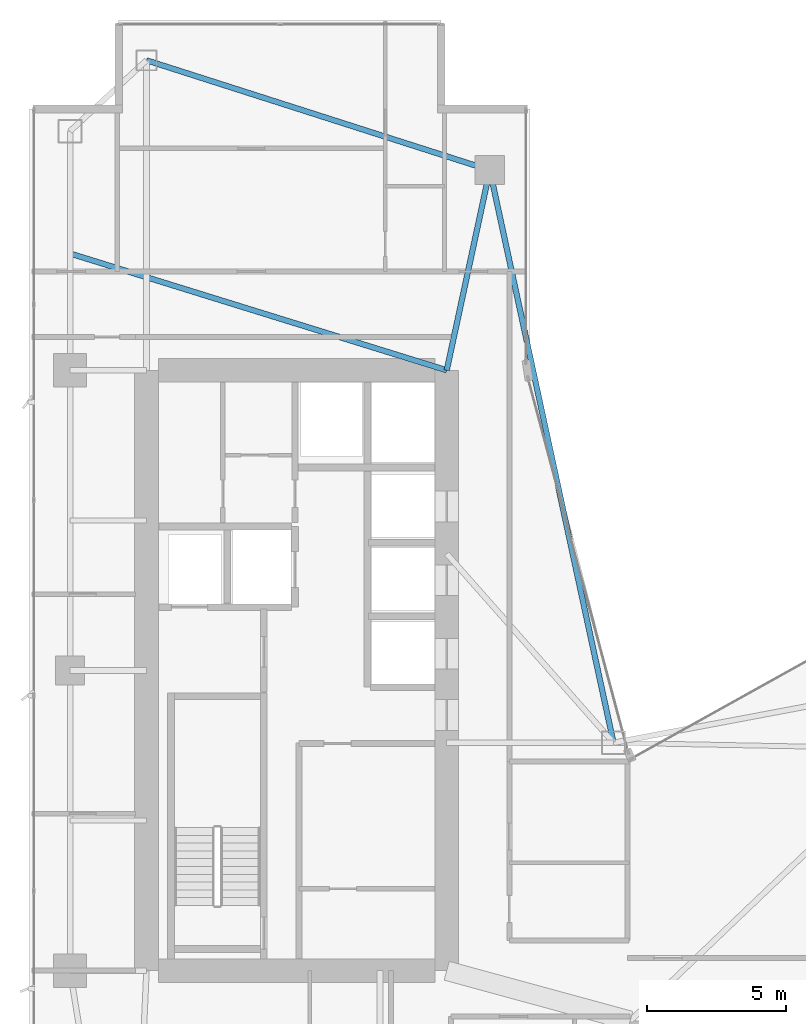
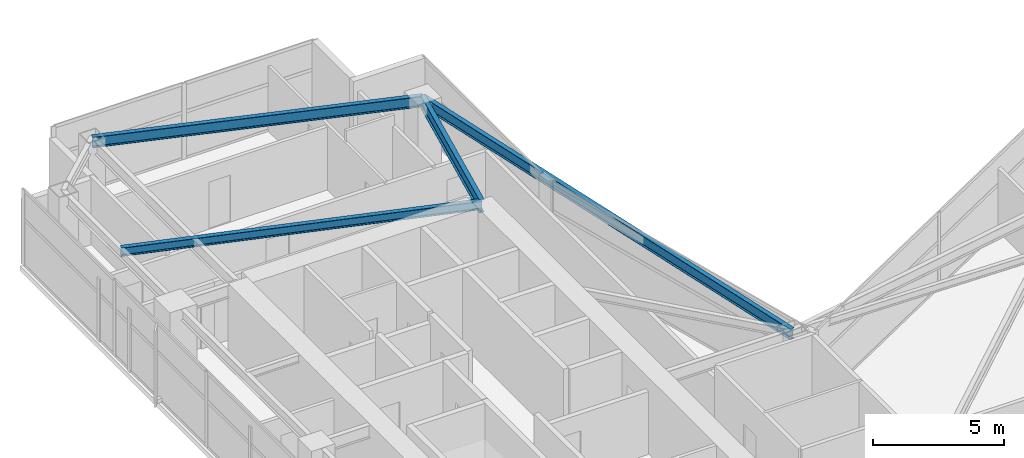
# One storey, part 17 of 29: 4 beams.
"""IFC4 building model written with IfcOpenShell, lengths in metres."""

from ifc_helpers import new_model, si_unit, direction, frame, origin, origin_2d, place, context, subcontext, project, spatial, i_section, extrude, material, material_profile, profile_set, type_object, element, save


model = new_model("IFC4")

# Units and contexts
model_context = context("Model", 3, precision=1e-05, world=origin(), true_north=direction((0.0, 1.0)))
body_context = subcontext(model_context, "Body", "Model", "MODEL_VIEW")
ifc_project = project(units=[si_unit("LENGTHUNIT", "METRE"), si_unit("AREAUNIT", "SQUARE_METRE"), si_unit("VOLUMEUNIT", "CUBIC_METRE"), si_unit("PLANEANGLEUNIT", "RADIAN"), si_unit("MASSUNIT", "GRAM", prefix="KILO")], contexts=[model_context])

# Site, building, storey
site_placement = place(None, origin())
site = spatial("IfcSite", under=ifc_project, at=site_placement, CompositionType="ELEMENT")
building_placement = place(site_placement, origin())
building = spatial("IfcBuilding", under=site, at=building_placement, Name="Calvorn Quay Hotel", CompositionType="ELEMENT")
storey_placement = place(building_placement, frame((0.0, 0.0, 167.5)))
storey = spatial("IfcBuildingStorey", under=building, at=storey_placement, Name="L41", CompositionType="ELEMENT", Elevation=167.5)

# Beams
ifc_material_1 = material(Name="Steel Q355B", Category="steel")
ifc_material_profile_1 = material_profile(ifc_material_1, i_section(OverallWidth=0.199951171875, OverallDepth=0.60009765625, WebThickness=0.010986328125, FlangeThickness=0.01708984375, FilletRadius=0.01806640625, at=origin_2d()), Name="HN600x200x11x17")
ifc_profile_set_1 = profile_set([ifc_material_profile_1], Name="Steel Q355B")
beam_type_1 = type_object("IfcBeamType", Name="BM-GIRD-TYP", PredefinedType="BEAM", material=ifc_profile_set_1)
beam_1_placement = place(storey_placement, frame((16.550048828125, 45.60009765625, 3.239990234375), z_axis=(-0.210457140491, -0.97760308511, 0.0), x_axis=(0.97760308511, -0.210457140491, 0.0)))
element("IfcBeam", 1, at=beam_1_placement, inside=storey, type_object=beam_type_1, Name="Beam BG-L41-W6", PredefinedType="BEAM", context=body_context, shape_type="SweptSolid", body=[
    extrude(i_section(OverallWidth=0.199951171875, OverallDepth=0.60009765625, WebThickness=0.010986328125, FlangeThickness=0.01708984375, FilletRadius=0.01806640625, at=origin_2d()), origin(), (0.0, 0.0, 1.0), 7.365234375),
])
ifc_material_2 = material(Name="Steel Q355B", Category="steel")
ifc_material_profile_2 = material_profile(ifc_material_2, i_section(OverallWidth=0.199951171875, OverallDepth=0.39990234375, WebThickness=0.008056640625, FlangeThickness=0.012939453125, FilletRadius=0.01611328125, at=origin_2d()), Name="HN400x200x8x13")
ifc_profile_set_2 = profile_set([ifc_material_profile_2], Name="Steel Q355B")
beam_type_2 = type_object("IfcBeamType", Name="BM-JOIST-TYP", PredefinedType="JOIST", material=ifc_profile_set_2)
beam_2_placement = place(storey_placement, frame((1.449951171875, 42.60009765625, 3.340087890625), z_axis=(0.955163702122, -0.296078202759, 0.0), x_axis=(0.296078202759, 0.955163702122, 0.0)))
element("IfcBeam", 2, at=beam_2_placement, inside=storey, type_object=beam_type_2, Name="Beam BJ-L41-W2", PredefinedType="JOIST", context=body_context, shape_type="SweptSolid", body=[
    extrude(i_section(OverallWidth=0.199951171875, OverallDepth=0.39990234375, WebThickness=0.008056640625, FlangeThickness=0.012939453125, FilletRadius=0.01611328125, at=origin_2d()), origin(), (0.0, 0.0, 1.0), 14.18603515625),
])
ifc_material_3 = material(Name="Steel Q355B", Category="steel")
ifc_material_profile_3 = material_profile(ifc_material_3, i_section(OverallWidth=0.199951171875, OverallDepth=0.5, WebThickness=0.010009765625, FlangeThickness=0.01611328125, FilletRadius=0.01611328125, at=origin_2d()), Name="HN500x200x10x16")
ifc_profile_set_3 = profile_set([ifc_material_profile_3], Name="Steel Q355B")
beam_type_3 = type_object("IfcBeamType", Name="BM-SPANDREL-Z1", PredefinedType="SPANDREL", material=ifc_profile_set_3)
beam_3_placement = place(storey_placement, frame((4.199951171875, 49.550048828125, 3.2900390625), z_axis=(0.952470702374, -0.304630203885, 0.0), x_axis=(0.304630203885, 0.952470702374, 0.0)))
element("IfcBeam", 3, at=beam_3_placement, inside=storey, type_object=beam_type_3, Name="Beam BSP-L41-W6", PredefinedType="SPANDREL", context=body_context, shape_type="SweptSolid", body=[
    extrude(i_section(OverallWidth=0.199951171875, OverallDepth=0.5, WebThickness=0.010009765625, FlangeThickness=0.01611328125, FilletRadius=0.01611328125, at=origin_2d()), origin(), (0.0, 0.0, 1.0), 12.96630859375),
])
beam_4_placement = place(storey_placement, frame((16.550048828125, 45.60009765625, 3.2900390625), z_axis=(0.211145848376, -0.977454567084, 0.0), x_axis=(0.977454567084, 0.211145848376, 0.0)))
element("IfcBeam", 4, at=beam_4_placement, inside=storey, type_object=beam_type_3, Name="Beam BSP-L41-W7", PredefinedType="SPANDREL", context=body_context, shape_type="SweptSolid", body=[
    extrude(i_section(OverallWidth=0.199951171875, OverallDepth=0.5, WebThickness=0.010009765625, FlangeThickness=0.01611328125, FilletRadius=0.01611328125, at=origin_2d()), origin(), (0.0, 0.0, 1.0), 21.0751953125),
])

save(model, "model.ifc")
